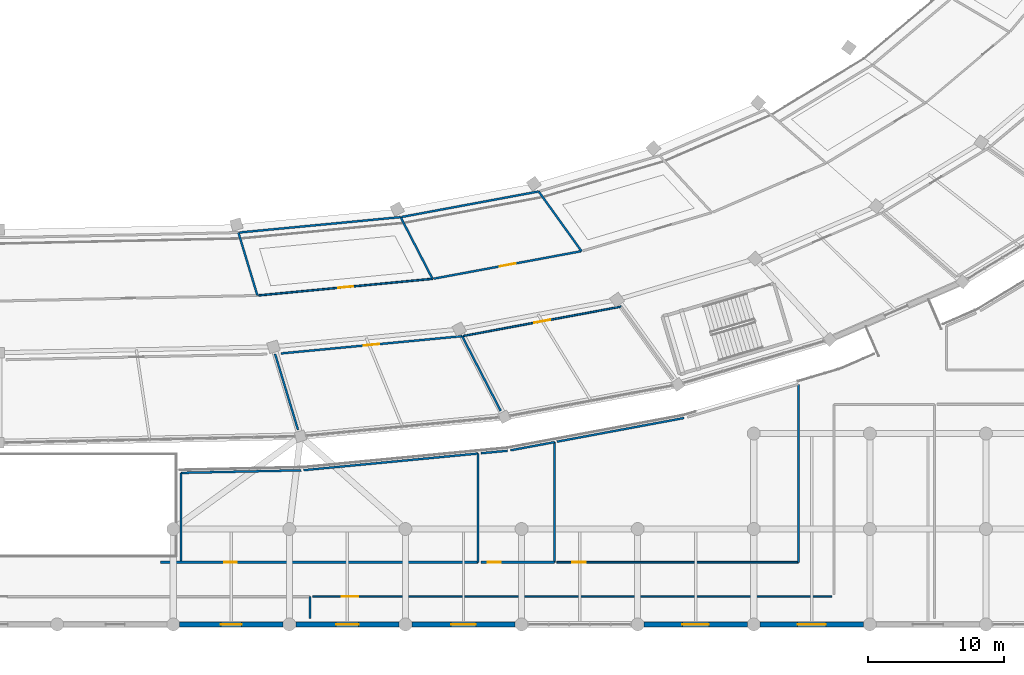
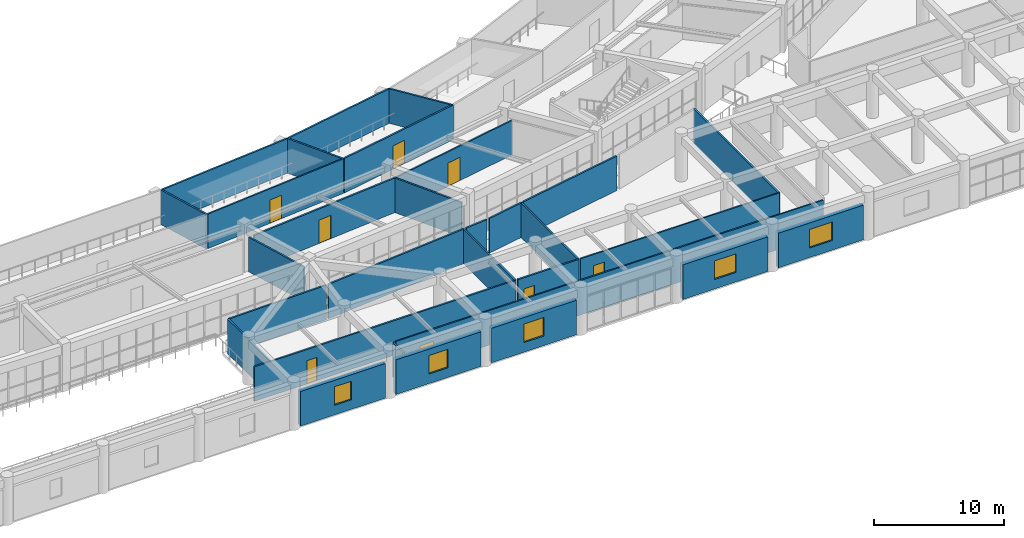
# One storey, part 97 of 141: 30 walls, 8 doors, 5 windows, 13 openings.
"""IFC4 building model written with IfcOpenShell, lengths in metres."""

import ifcopenshell
import ifcopenshell.guid

model = None  # the IFC model being written
_history = None  # IfcOwnerHistory: only IFC2X3 demands one
_inside = {}  # id of a spatial element -> (the spatial element, [elements in it])
_under = {}  # id of a project, library or spatial element -> (it, [spatial elements below it])
_declared = {}  # id of a project -> (the project, [libraries it declares])
_typed = {}  # id of a type object -> (the type object, [elements of that type])
_made_of = {}  # id of a material, layer set ... -> (it, [elements and type objects made of it])


def new_model(schema):
    """Start an empty IFC model of exactly this schema.

    Asked for "IFC4X3", IfcOpenShell would pick the latest addendum, in which some entities
    have other attributes; the version numbers below select the first issue.
    IFC2X3 requires an IfcOwnerHistory on every rooted entity: one is made here for all.
    """
    global model, _history
    if schema == "IFC4X3":
        model = ifcopenshell.file(schema_version=(4, 3, 0, 0))
    else:
        model = ifcopenshell.file(schema=schema)
    _inside.clear()
    _under.clear()
    _declared.clear()
    _typed.clear()
    _made_of.clear()
    _history = None
    if model.schema == "IFC2X3":
        org = make("IfcOrganization", Name="unknown")
        user = make(
            "IfcPersonAndOrganization",
            ThePerson=make("IfcPerson", FamilyName="unknown"),
            TheOrganization=org,
        )
        app = make(
            "IfcApplication",
            ApplicationDeveloper=org,
            Version="unknown",
            ApplicationFullName="unknown",
            ApplicationIdentifier="unknown",
        )
        _history = make(
            "IfcOwnerHistory",
            OwningUser=user,
            OwningApplication=app,
            ChangeAction="ADDED",
            CreationDate=0,
        )
    return model


def make(cls, **values):
    """One entity of the class cls with the attributes given. An attribute that is None is left unset."""
    return model.create_entity(
        cls, **{name: value for name, value in values.items() if value is not None}
    )


def rooted(cls, **values):
    """An entity with a GlobalId (a new one), such as an element, a storey or a relation."""
    return make(cls, GlobalId=ifcopenshell.guid.new(), OwnerHistory=_history, **values)


def si_unit(unit_type, name, prefix=None):
    """IfcSIUnit, for example si_unit("LENGTHUNIT", "METRE", prefix="MILLI")."""
    return make("IfcSIUnit", UnitType=unit_type, Prefix=prefix, Name=name)


def assignment(units):
    """IfcUnitAssignment: the units of a project."""
    return None if units is None else make("IfcUnitAssignment", Units=units)


def point(xyz):
    """IfcCartesianPoint."""
    return None if xyz is None else make("IfcCartesianPoint", Coordinates=xyz)


def direction(xyz):
    """IfcDirection."""
    return None if xyz is None else make("IfcDirection", DirectionRatios=xyz)


def frame(location, z_axis=None, x_axis=None):
    """IfcAxis2Placement3D, a coordinate frame: its origin and axes. An axis left out is left unset."""
    return make(
        "IfcAxis2Placement3D",
        Location=point(location),
        Axis=direction(z_axis),
        RefDirection=direction(x_axis),
    )


def frame_2d(location, x_axis=None):
    """IfcAxis2Placement2D, a coordinate frame in the plane: its origin and x axis."""
    return make(
        "IfcAxis2Placement2D", Location=point(location), RefDirection=direction(x_axis)
    )


def origin():
    """The frame at (0, 0, 0) with its axes left unset."""
    return frame((0.0, 0.0, 0.0))


def place(relative_to, where):
    """IfcLocalPlacement: puts the frame where relative to a parent placement (None: the world)."""
    return make(
        "IfcLocalPlacement", PlacementRelTo=relative_to, RelativePlacement=where
    )


def context(
    kind, dimensions, precision=None, world=None, true_north=None, identifier=None
):
    """IfcGeometricRepresentationContext, for example the 3D "Model" context."""
    return make(
        "IfcGeometricRepresentationContext",
        ContextIdentifier=identifier,
        ContextType=kind,
        CoordinateSpaceDimension=dimensions,
        Precision=precision,
        WorldCoordinateSystem=world,
        TrueNorth=true_north,
    )


def subcontext(parent, identifier, kind, view, scale=None):
    """IfcGeometricRepresentationSubContext, for example "Body" below "Model"."""
    return make(
        "IfcGeometricRepresentationSubContext",
        ContextIdentifier=identifier,
        ContextType=kind,
        ParentContext=parent,
        TargetScale=scale,
        TargetView=view,
    )


def project(units=None, contexts=None):
    """IfcProject with its units and contexts."""
    return rooted(
        "IfcProject",
        Name="project",
        RepresentationContexts=contexts,
        UnitsInContext=assignment(units),
    )


def spatial(cls, under=None, at=None, **own):
    """A site, building, storey or space (cls), placed at a placement, below another one or the project."""
    s = rooted(cls, ObjectPlacement=at, **own)
    if under is not None:
        _under.setdefault(under.id(), (under, []))[1].append(s)
    return s


def profile(cls, at=None, kind="AREA", **sizes):
    """A parametric profile (cls). Its sizes go by their IFC names, for example OverallWidth=200.0."""
    return make(cls, ProfileType=kind, Position=at, **sizes)


def rectangle(**sizes):
    """IfcRectangleProfileDef."""
    return profile("IfcRectangleProfileDef", **sizes)


def extrude(swept, where, along, depth):
    """IfcExtrudedAreaSolid: the profile swept, set in the frame where, extruded along a direction by depth."""
    return make(
        "IfcExtrudedAreaSolid",
        SweptArea=swept,
        Position=where,
        ExtrudedDirection=direction(along),
        Depth=depth,
    )


def shape(context_of_items, identifier, shape_type, items):
    """IfcShapeRepresentation: the items that make up one representation, for example the "Body"."""
    return make(
        "IfcShapeRepresentation",
        ContextOfItems=context_of_items,
        RepresentationIdentifier=identifier,
        RepresentationType=shape_type,
        Items=items,
    )


def material(Name=None, Category=None):
    """IfcMaterial."""
    return make("IfcMaterial", Name=Name, Category=Category)


def layer(
    of_material, thickness, ventilated=None, Name=None, Category=None, Priority=None
):
    """IfcMaterialLayer: one layer of a wall or slab, of a material (None: an air gap)."""
    return make(
        "IfcMaterialLayer",
        Material=of_material,
        LayerThickness=thickness,
        IsVentilated=ventilated,
        Name=Name,
        Category=Category,
        Priority=Priority,
    )


def layer_set(layers, Name=None):
    """IfcMaterialLayerSet."""
    return make("IfcMaterialLayerSet", MaterialLayers=layers, LayerSetName=Name)


def made_of(thing, what):
    """Note that an element or type object is made of a material, layer set ...; save() writes the relation."""
    if what is not None:
        _made_of.setdefault(what.id(), (what, []))[1].append(thing)
    return thing


def type_object(cls, material=None, **own):
    """A type object (cls), such as IfcWallType, which elements share."""
    return made_of(rooted(cls, **own), material)


def element(
    cls,
    number,
    at=None,
    inside=None,
    cuts=None,
    type_object=None,
    material=None,
    context=None,
    identifier="Body",
    shape_type=None,
    held_by="IfcProductDefinitionShape",
    body=None,
    shapes=None,
    **own,
):
    """One element of the class cls, such as IfcWall. Its Tag is "e" and its number.

    at: its placement. inside: the storey or other place that contains it. cuts: it is an
    opening in that element (IfcRelVoidsElement). A single representation is given by context,
    identifier, shape_type and body (its items); several are given by shapes. held_by: the class
    of the entity that holds the representations. save() writes the other relations.
    """
    e = rooted(cls, Tag="e%d" % number, ObjectPlacement=at, **own)
    if body is not None:
        shapes = [shape(context, identifier, shape_type, body)]
    if shapes is not None:
        e.Representation = make(held_by, Representations=shapes)
    if inside is not None:
        _inside.setdefault(inside.id(), (inside, []))[1].append(e)
    if cuts is not None:
        rooted(
            "IfcRelVoidsElement", RelatingBuildingElement=cuts, RelatedOpeningElement=e
        )
    if type_object is not None:
        _typed.setdefault(type_object.id(), (type_object, []))[1].append(e)
    return made_of(e, material)


def fill(opening, filler):
    """IfcRelFillsElement: the door or window that sits in an opening."""
    return rooted(
        "IfcRelFillsElement",
        RelatingOpeningElement=opening,
        RelatedBuildingElement=filler,
    )


def aggregate(whole, parts):
    """IfcRelAggregates: a whole, such as a stair, and the parts it consists of."""
    return rooted("IfcRelAggregates", RelatingObject=whole, RelatedObjects=parts)


def save(model, path):
    """Write the relations noted so far, then the file.

    IfcRelAggregates (storeys below a building ...), IfcRelContainedInSpatialStructure (elements
    in a storey), IfcRelDefinesByType, IfcRelAssociatesMaterial and IfcRelDeclares: one each for
    every whole, place, type object, material and project.
    """
    for whole, parts in _under.values():
        aggregate(whole, parts)
    for where, things in _inside.values():
        rooted(
            "IfcRelContainedInSpatialStructure",
            RelatedElements=things,
            RelatingStructure=where,
        )
    for kind, things in _typed.values():
        rooted("IfcRelDefinesByType", RelatedObjects=things, RelatingType=kind)
    for what, things in _made_of.values():
        rooted("IfcRelAssociatesMaterial", RelatedObjects=things, RelatingMaterial=what)
    for by, libraries in _declared.values():
        rooted("IfcRelDeclares", RelatingContext=by, RelatedDefinitions=libraries)
    model.write(path)


model = new_model("IFC4")

# Units and contexts
model_context = context("Model", 3, precision=1e-05, world=origin(), true_north=direction((0.0, 1.0)))
body_context = subcontext(model_context, "Body", "Model", "MODEL_VIEW")
ifc_project = project(units=[si_unit("LENGTHUNIT", "METRE"), si_unit("AREAUNIT", "SQUARE_METRE"), si_unit("VOLUMEUNIT", "CUBIC_METRE"), si_unit("PLANEANGLEUNIT", "RADIAN"), si_unit("MASSUNIT", "GRAM", prefix="KILO")], contexts=[model_context])

# Site, building, storey
site_placement = place(None, origin())
site = spatial("IfcSite", under=ifc_project, at=site_placement, CompositionType="ELEMENT")
building_placement = place(site_placement, origin())
building = spatial("IfcBuilding", under=site, at=building_placement, Name="Mphavela Belvedere Stadium", CompositionType="ELEMENT")
storey_placement = place(building_placement, frame((0.0, 0.0, 14.699951171875)))
storey = spatial("IfcBuildingStorey", under=building, at=storey_placement, Name="L03", CompositionType="ELEMENT", Elevation=14.699951171875)

# Wall, opening, window
ifc_material_1 = material(Name="Honed ashlar limestone masonry", Category="masonry")
ifc_layer_1 = layer(ifc_material_1, 0.35009765625)
ifc_layer_set_1 = layer_set([ifc_layer_1], Name="Honed ashlar limestone masonry")
wall_type_1 = type_object("IfcWallType", Name="WAL-EXT-ASHLAR-350", PredefinedType="STANDARD", material=ifc_layer_set_1)
wall_1_placement = place(storey_placement, frame((135.822998046875, 0.0, 0.0), z_axis=(0.0, 0.0, 1.0), x_axis=(-1.0, 0.0, 0.0)))
wall_1 = element("IfcWall", 1, at=wall_1_placement, inside=storey, type_object=wall_type_1, Name="South Axial Triumphal Peristyle Portico outer facade bay L03-16", PredefinedType="STANDARD", context=body_context, shape_type="SweptSolid", body=[
    extrude(rectangle(XDim=7.572021484375, YDim=0.35009765625, at=frame_2d((3.7861328125, 0.0))), origin(), (0.0, 0.0, 1.0), 3.260009765625),
])
opening_1_placement = place(wall_1_placement, frame((3.02587890625, 0.0, 0.89990234375)))
opening_1 = element("IfcOpeningElement", 2, at=opening_1_placement, cuts=wall_1, Name="Opening W-103", PredefinedType="OPENING", context=body_context, shape_type="SweptSolid", body=[
    extrude(rectangle(XDim=1.52001953125, YDim=1.75, at=frame_2d((0.760009765625, 0.875))), frame((0.0, 0.18505859375, 0.0), z_axis=(0.0, -1.0, 0.0), x_axis=(1.0, 0.0, 0.0)), (0.0, 0.0, 1.0), 0.3701171875),
])
ifc_material_2 = material(Name="Bronze-anodised thermally broken aluminium window", Category="aluminium")
window_type_1 = type_object("IfcWindowType", Name="WIN-EXT-15", PartitioningType="SINGLE_PANEL", PredefinedType="WINDOW", material=ifc_material_2)
window_1_placement = place(opening_1_placement, origin())
window_1 = element("IfcWindow", 3, at=window_1_placement, inside=storey, type_object=window_type_1, Name="South Axial Triumphal Peristyle Portico classical window W-103", OverallHeight=1.75, OverallWidth=1.52001953125, PartitioningType="SINGLE_PANEL", PredefinedType="WINDOW", context=body_context, shape_type="SweptSolid", body=[
    extrude(rectangle(XDim=1.52001953125, YDim=1.75, at=frame_2d((0.760009765625, 0.875))), frame((0.0, 0.030029296875, 0.0), z_axis=(0.0, -1.0, 0.0), x_axis=(1.0, 0.0, 0.0)), (0.0, 0.0, 1.0), 0.06005859375),
])
fill(opening_1, window_1)

wall_2_placement = place(storey_placement, frame((144.342041015625, 0.0, 0.0), z_axis=(0.0, 0.0, 1.0), x_axis=(-1.0, 0.0, 0.0)))
wall_2 = element("IfcWall", 4, at=wall_2_placement, inside=storey, type_object=wall_type_1, Name="South Axial Triumphal Peristyle Portico outer facade bay L03-17", PredefinedType="STANDARD", context=body_context, shape_type="SweptSolid", body=[
    extrude(rectangle(XDim=7.572998046875, YDim=0.35009765625, at=frame_2d((3.78662109375, 0.0))), origin(), (0.0, 0.0, 1.0), 3.260009765625),
])
opening_2_placement = place(wall_2_placement, frame((2.95654296875, 0.0, 0.89990234375)))
opening_2 = element("IfcOpeningElement", 5, at=opening_2_placement, cuts=wall_2, Name="Opening W-104", PredefinedType="OPENING", context=body_context, shape_type="SweptSolid", body=[
    extrude(rectangle(XDim=1.659912109375, YDim=1.75, at=frame_2d((0.830078125, 0.875))), frame((0.0, 0.18505859375, 0.0), z_axis=(0.0, -1.0, 0.0), x_axis=(1.0, 0.0, 0.0)), (0.0, 0.0, 1.0), 0.3701171875),
])
ifc_material_3 = material(Name="Bronze-anodised thermally broken aluminium window", Category="aluminium")
window_type_2 = type_object("IfcWindowType", Name="WIN-EXT-16", PartitioningType="SINGLE_PANEL", PredefinedType="WINDOW", material=ifc_material_3)
window_2_placement = place(opening_2_placement, origin())
window_2 = element("IfcWindow", 6, at=window_2_placement, inside=storey, type_object=window_type_2, Name="South Axial Triumphal Peristyle Portico classical window W-104", OverallHeight=1.75, OverallWidth=1.659912109375, PartitioningType="SINGLE_PANEL", PredefinedType="WINDOW", context=body_context, shape_type="SweptSolid", body=[
    extrude(rectangle(XDim=1.659912109375, YDim=1.75, at=frame_2d((0.830078125, 0.875))), frame((0.0, 0.030029296875, 0.0), z_axis=(0.0, -1.0, 0.0), x_axis=(1.0, 0.0, 0.0)), (0.0, 0.0, 1.0), 0.06005859375),
])
fill(opening_2, window_2)

wall_3_placement = place(storey_placement, frame((152.860107421875, 0.0, 0.0), z_axis=(0.0, 0.0, 1.0), x_axis=(-1.0, 0.0, 0.0)))
wall_3 = element("IfcWall", 7, at=wall_3_placement, inside=storey, type_object=wall_type_1, Name="South Axial Triumphal Peristyle Portico outer facade bay L03-18", PredefinedType="STANDARD", context=body_context, shape_type="SweptSolid", body=[
    extrude(rectangle(XDim=7.572021484375, YDim=0.35009765625, at=frame_2d((3.7861328125, 0.0))), origin(), (0.0, 0.0, 1.0), 3.260009765625),
])
opening_3_placement = place(wall_3_placement, frame((2.885986328125, 0.0, 0.89990234375)))
opening_3 = element("IfcOpeningElement", 8, at=opening_3_placement, cuts=wall_3, Name="Opening W-105", PredefinedType="OPENING", context=body_context, shape_type="SweptSolid", body=[
    extrude(rectangle(XDim=1.800048828125, YDim=1.75, at=frame_2d((0.89990234375, 0.875))), frame((0.0, 0.18505859375, 0.0), z_axis=(0.0, -1.0, 0.0), x_axis=(1.0, 0.0, 0.0)), (0.0, 0.0, 1.0), 0.3701171875),
])
ifc_material_4 = material(Name="Bronze-anodised thermally broken aluminium window", Category="aluminium")
window_type_3 = type_object("IfcWindowType", Name="WIN-EXT-17", PartitioningType="SINGLE_PANEL", PredefinedType="WINDOW", material=ifc_material_4)
window_3_placement = place(opening_3_placement, origin())
window_3 = element("IfcWindow", 9, at=window_3_placement, inside=storey, type_object=window_type_3, Name="South Axial Triumphal Peristyle Portico classical window W-105", OverallHeight=1.75, OverallWidth=1.800048828125, PartitioningType="SINGLE_PANEL", PredefinedType="WINDOW", context=body_context, shape_type="SweptSolid", body=[
    extrude(rectangle(XDim=1.800048828125, YDim=1.75, at=frame_2d((0.89990234375, 0.875))), frame((0.0, 0.030029296875, 0.0), z_axis=(0.0, -1.0, 0.0), x_axis=(1.0, 0.0, 0.0)), (0.0, 0.0, 1.0), 0.06005859375),
])
fill(opening_3, window_3)

wall_4_placement = place(storey_placement, frame((169.89697265625, 0.0, 0.0), z_axis=(0.0, 0.0, 1.0), x_axis=(-1.0, 0.0, 0.0)))
wall_4 = element("IfcWall", 10, at=wall_4_placement, inside=storey, type_object=wall_type_1, Name="South Axial Triumphal Peristyle Portico outer facade bay L03-20", PredefinedType="STANDARD", context=body_context, shape_type="SweptSolid", body=[
    extrude(rectangle(XDim=7.572021484375, YDim=0.35009765625, at=frame_2d((3.7861328125, 0.0))), origin(), (0.0, 0.0, 1.0), 3.260009765625),
])
opening_4_placement = place(wall_4_placement, frame((2.81591796875, 0.0, 0.89990234375)))
opening_4 = element("IfcOpeningElement", 11, at=opening_4_placement, cuts=wall_4, Name="Opening W-106", PredefinedType="OPENING", context=body_context, shape_type="SweptSolid", body=[
    extrude(rectangle(XDim=1.93994140625, YDim=1.75, at=frame_2d((0.969970703125, 0.875))), frame((0.0, 0.18505859375, 0.0), z_axis=(0.0, -1.0, 0.0), x_axis=(1.0, 0.0, 0.0)), (0.0, 0.0, 1.0), 0.3701171875),
])
ifc_material_5 = material(Name="Bronze-anodised thermally broken aluminium window", Category="aluminium")
window_type_4 = type_object("IfcWindowType", Name="WIN-EXT-18", PartitioningType="SINGLE_PANEL", PredefinedType="WINDOW", material=ifc_material_5)
window_4_placement = place(opening_4_placement, origin())
window_4 = element("IfcWindow", 12, at=window_4_placement, inside=storey, type_object=window_type_4, Name="South Axial Triumphal Peristyle Portico classical window W-106", OverallHeight=1.75, OverallWidth=1.93994140625, PartitioningType="SINGLE_PANEL", PredefinedType="WINDOW", context=body_context, shape_type="SweptSolid", body=[
    extrude(rectangle(XDim=1.93994140625, YDim=1.75, at=frame_2d((0.969970703125, 0.875))), frame((0.0, 0.030029296875, 0.0), z_axis=(0.0, -1.0, 0.0), x_axis=(1.0, 0.0, 0.0)), (0.0, 0.0, 1.0), 0.06005859375),
])
fill(opening_4, window_4)

wall_5_placement = place(storey_placement, frame((178.416015625, 0.0, 0.0), z_axis=(0.0, 0.0, 1.0), x_axis=(-1.0, 0.0, 0.0)))
wall_5 = element("IfcWall", 13, at=wall_5_placement, inside=storey, type_object=wall_type_1, Name="South Axial Triumphal Peristyle Portico outer facade bay L03-21", PredefinedType="STANDARD", context=body_context, shape_type="SweptSolid", body=[
    extrude(rectangle(XDim=7.572998046875, YDim=0.35009765625, at=frame_2d((3.78662109375, 0.0))), origin(), (0.0, 0.0, 1.0), 3.260009765625),
])
opening_5_placement = place(wall_5_placement, frame((2.74658203125, 0.0, 0.89990234375)))
opening_5 = element("IfcOpeningElement", 14, at=opening_5_placement, cuts=wall_5, Name="Opening W-107", PredefinedType="OPENING", context=body_context, shape_type="SweptSolid", body=[
    extrude(rectangle(XDim=2.080078125, YDim=1.75, at=frame_2d((1.0400390625, 0.875))), frame((0.0, 0.18505859375, 0.0), z_axis=(0.0, -1.0, 0.0), x_axis=(1.0, 0.0, 0.0)), (0.0, 0.0, 1.0), 0.3701171875),
])
ifc_material_6 = material(Name="Bronze-anodised thermally broken aluminium window", Category="aluminium")
window_type_5 = type_object("IfcWindowType", Name="WIN-EXT-19", PartitioningType="SINGLE_PANEL", PredefinedType="WINDOW", material=ifc_material_6)
window_5_placement = place(opening_5_placement, origin())
window_5 = element("IfcWindow", 15, at=window_5_placement, inside=storey, type_object=window_type_5, Name="South Axial Triumphal Peristyle Portico classical window W-107", OverallHeight=1.75, OverallWidth=2.080078125, PartitioningType="SINGLE_PANEL", PredefinedType="WINDOW", context=body_context, shape_type="SweptSolid", body=[
    extrude(rectangle(XDim=2.080078125, YDim=1.75, at=frame_2d((1.0400390625, 0.875))), frame((0.0, 0.030029296875, 0.0), z_axis=(0.0, -1.0, 0.0), x_axis=(1.0, 0.0, 0.0)), (0.0, 0.0, 1.0), 0.06005859375),
])
fill(opening_5, window_5)

# Wall, opening, door
ifc_material_7 = material(Name="Moisture-resistant sanitary partition assembly")
ifc_layer_2 = layer(ifc_material_7, 0.125)
ifc_layer_set_2 = layer_set([ifc_layer_2], Name="Moisture-resistant sanitary partition assembly")
wall_type_2 = type_object("IfcWallType", Name="WAL-PART-125", PredefinedType="PARTITIONING", material=ifc_layer_set_2)
wall_6_placement = place(storey_placement, frame((146.799072265625, 25.354736328125, 0.0), z_axis=(0.0, 0.0, 1.0), x_axis=(-0.995485111947, -0.094917816515, 0.0)))
wall_6 = element("IfcWall", 16, at=wall_6_placement, inside=storey, type_object=wall_type_2, Name="Room L03-134 corridor partition", PredefinedType="PARTITIONING", context=body_context, shape_type="SweptSolid", body=[
    extrude(rectangle(XDim=12.822021484375, YDim=0.125, at=frame_2d((6.4111328125, 0.0))), origin(), (0.0, 0.0, 1.0), 3.25),
])
opening_6_placement = place(wall_6_placement, frame((5.861083984375, 0.0, 0.0)))
opening_6 = element("IfcOpeningElement", 17, at=opening_6_placement, cuts=wall_6, Name="Opening ID-306", PredefinedType="OPENING", context=body_context, shape_type="SweptSolid", body=[
    extrude(rectangle(XDim=1.10009765625, YDim=2.199951171875, at=frame_2d((0.550048828125, 1.10009765625))), frame((0.0, 0.072509765625, 0.0), z_axis=(0.0, -1.0, 0.0), x_axis=(1.0, 0.0, 0.0)), (0.0, 0.0, 1.0), 0.14501953125),
])
ifc_material_8 = material(Name="Hardwood acoustic timber doorset", Category="wood")
door_type_1 = type_object("IfcDoorType", Name="DR-INT-18", OperationType="NOTDEFINED", PredefinedType="DOOR", material=ifc_material_8)
door_1_placement = place(opening_6_placement, origin())
door_1 = element("IfcDoor", 18, at=door_1_placement, inside=storey, type_object=door_type_1, Name="Room L03-134 entrance door ID-306", OperationType="SINGLE_SWING_RIGHT", OverallHeight=2.199951171875, OverallWidth=1.10009765625, PredefinedType="DOOR", context=body_context, shape_type="SweptSolid", body=[
    extrude(rectangle(XDim=1.10009765625, YDim=2.199951171875, at=frame_2d((0.550048828125, 1.10009765625))), frame((0.0, 0.02490234375, 0.0), z_axis=(0.0, -1.0, 0.0), x_axis=(1.0, 0.0, 0.0)), (0.0, 0.0, 1.0), 0.050048828125),
])
fill(opening_6, door_1)

wall_7_placement = place(storey_placement, frame((149.055419921875, 21.1611328125, 0.0), z_axis=(0.0, 0.0, 1.0), x_axis=(0.983095748229, 0.183092189385, 0.0)))
wall_7 = element("IfcWall", 19, at=wall_7_placement, inside=storey, type_object=wall_type_2, Name="Room L03-138 corridor partition", PredefinedType="PARTITIONING", context=body_context, shape_type="SweptSolid", body=[
    extrude(rectangle(XDim=11.79296875, YDim=0.125, at=frame_2d((5.896484375, 0.0))), origin(), (0.0, 0.0, 1.0), 3.25),
])
opening_7_placement = place(wall_7_placement, frame((5.28662109375, 0.0, 0.0)))
opening_7 = element("IfcOpeningElement", 20, at=opening_7_placement, cuts=wall_7, Name="Opening ID-309", PredefinedType="OPENING", context=body_context, shape_type="SweptSolid", body=[
    extrude(rectangle(XDim=1.219970703125, YDim=2.199951171875, at=frame_2d((0.60986328125, 1.10009765625))), frame((0.0, 0.072509765625, 0.0), z_axis=(0.0, -1.0, 0.0), x_axis=(1.0, 0.0, 0.0)), (0.0, 0.0, 1.0), 0.14501953125),
])
ifc_material_9 = material(Name="Hardwood acoustic timber doorset", Category="wood")
door_type_2 = type_object("IfcDoorType", Name="DR-INT-21", OperationType="NOTDEFINED", PredefinedType="DOOR", material=ifc_material_9)
door_2_placement = place(opening_7_placement, origin())
door_2 = element("IfcDoor", 21, at=door_2_placement, inside=storey, type_object=door_type_2, Name="Room L03-138 entrance door ID-309", OperationType="SINGLE_SWING_LEFT", OverallHeight=2.199951171875, OverallWidth=1.219970703125, PredefinedType="DOOR", context=body_context, shape_type="SweptSolid", body=[
    extrude(rectangle(XDim=1.219970703125, YDim=2.199951171875, at=frame_2d((0.60986328125, 1.10009765625))), frame((0.0, 0.02490234375, 0.0), z_axis=(0.0, -1.0, 0.0), x_axis=(1.0, 0.0, 0.0)), (0.0, 0.0, 1.0), 0.050048828125),
])
fill(opening_7, door_2)

wall_8_placement = place(storey_placement, frame((138.010009765625, 2.0400390625, 0.0), z_axis=(0.0, 0.0, 1.0), x_axis=(1.0, 0.0, 0.0)))
wall_8 = element("IfcWall", 22, at=wall_8_placement, inside=storey, type_object=wall_type_2, Name="Room L03-169 corridor partition", PredefinedType="PARTITIONING", context=body_context, shape_type="SweptSolid", body=[
    extrude(rectangle(XDim=38.090087890625, YDim=0.125, at=frame_2d((19.044921875, 0.0))), origin(), (0.0, 0.0, 1.0), 3.25),
])
opening_8_placement = place(wall_8_placement, frame((2.131591796875, 0.0, 0.0)))
opening_8 = element("IfcOpeningElement", 23, at=opening_8_placement, cuts=wall_8, Name="Opening ID-405", PredefinedType="OPENING", context=body_context, shape_type="SweptSolid", body=[
    extrude(rectangle(XDim=1.219970703125, YDim=2.10009765625, at=frame_2d((0.60986328125, 1.050048828125))), frame((0.0, 0.072509765625, 0.0), z_axis=(0.0, -1.0, 0.0), x_axis=(1.0, 0.0, 0.0)), (0.0, 0.0, 1.0), 0.14501953125),
])
ifc_material_10 = material(Name="Hardwood acoustic timber doorset", Category="wood")
door_type_3 = type_object("IfcDoorType", Name="DR-INT-09", OperationType="NOTDEFINED", PredefinedType="DOOR", material=ifc_material_10)
door_3_placement = place(opening_8_placement, origin())
door_3 = element("IfcDoor", 24, at=door_3_placement, inside=storey, type_object=door_type_3, Name="Room L03-169 entrance door ID-405", OperationType="SINGLE_SWING_LEFT", OverallHeight=2.10009765625, OverallWidth=1.219970703125, PredefinedType="DOOR", context=body_context, shape_type="SweptSolid", body=[
    extrude(rectangle(XDim=1.219970703125, YDim=2.10009765625, at=frame_2d((0.60986328125, 1.050048828125))), frame((0.0, 0.02490234375, 0.0), z_axis=(0.0, -1.0, 0.0), x_axis=(1.0, 0.0, 0.0)), (0.0, 0.0, 1.0), 0.050048828125),
])
fill(opening_8, door_3)

wall_9_placement = place(storey_placement, frame((173.639892578125, 4.56005859375, 0.0), z_axis=(0.0, 0.0, 1.0), x_axis=(-1.0, 0.0, 0.0)))
wall_9 = element("IfcWall", 25, at=wall_9_placement, inside=storey, type_object=wall_type_2, Name="Room L03-175 corridor partition", PredefinedType="PARTITIONING", context=body_context, shape_type="SweptSolid", body=[
    extrude(rectangle(XDim=17.7158203125, YDim=0.125, at=frame_2d((8.85791015625, 0.0))), origin(), (0.0, 0.0, 1.0), 3.25),
])
opening_9_placement = place(wall_9_placement, frame((15.611083984375, 0.0, 0.0)))
opening_9 = element("IfcOpeningElement", 26, at=opening_9_placement, cuts=wall_9, Name="Opening ID-411", PredefinedType="OPENING", context=body_context, shape_type="SweptSolid", body=[
    extrude(rectangle(XDim=0.97998046875, YDim=2.199951171875, at=frame_2d((0.489990234375, 1.10009765625))), frame((0.0, 0.072509765625, 0.0), z_axis=(0.0, -1.0, 0.0), x_axis=(1.0, 0.0, 0.0)), (0.0, 0.0, 1.0), 0.14501953125),
])
ifc_material_11 = material(Name="Hardwood acoustic timber doorset", Category="wood")
door_type_4 = type_object("IfcDoorType", Name="DR-INT-15", OperationType="NOTDEFINED", PredefinedType="DOOR", material=ifc_material_11)
door_4_placement = place(opening_9_placement, origin())
door_4 = element("IfcDoor", 27, at=door_4_placement, inside=storey, type_object=door_type_4, Name="Room L03-175 entrance door ID-411", OperationType="SINGLE_SWING_LEFT", OverallHeight=2.199951171875, OverallWidth=0.97998046875, PredefinedType="DOOR", context=body_context, shape_type="SweptSolid", body=[
    extrude(rectangle(XDim=0.97998046875, YDim=2.199951171875, at=frame_2d((0.489990234375, 1.10009765625))), frame((0.0, 0.02490234375, 0.0), z_axis=(0.0, -1.0, 0.0), x_axis=(1.0, 0.0, 0.0)), (0.0, 0.0, 1.0), 0.050048828125),
])
fill(opening_9, door_4)

ifc_material_12 = material(Name="Acoustic gypsum stud partition assembly")
ifc_layer_3 = layer(ifc_material_12, 0.14990234375)
ifc_layer_set_3 = layer_set([ifc_layer_3], Name="Acoustic gypsum stud partition assembly")
wall_type_3 = type_object("IfcWallType", Name="WAL-PART-150", PredefinedType="PARTITIONING", material=ifc_layer_set_3)
wall_10_placement = place(storey_placement, frame((135.68115234375, 19.880859375, 0.0), z_axis=(0.0, 0.0, 1.0), x_axis=(0.995484535327, 0.094923863827, 0.0)))
wall_10 = element("IfcWall", 28, at=wall_10_placement, inside=storey, type_object=wall_type_3, Name="Room L03-135 corridor partition", PredefinedType="PARTITIONING", context=body_context, shape_type="SweptSolid", body=[
    extrude(rectangle(XDim=13.35107421875, YDim=0.14990234375, at=frame_2d((6.675537109375, 0.0))), origin(), (0.0, 0.0, 1.0), 3.25),
])
opening_10_placement = place(wall_10_placement, frame((6.10546875, 0.0, 0.0)))
opening_10 = element("IfcOpeningElement", 29, at=opening_10_placement, cuts=wall_10, Name="Opening ID-307", PredefinedType="OPENING", context=body_context, shape_type="SweptSolid", body=[
    extrude(rectangle(XDim=1.139892578125, YDim=2.199951171875, at=frame_2d((0.56982421875, 1.10009765625))), frame((0.0, 0.0849609375, 0.0), z_axis=(0.0, -1.0, 0.0), x_axis=(1.0, 0.0, 0.0)), (0.0, 0.0, 1.0), 0.169921875),
])
ifc_material_13 = material(Name="Hardwood acoustic timber doorset", Category="wood")
door_type_5 = type_object("IfcDoorType", Name="DR-INT-19", OperationType="NOTDEFINED", PredefinedType="DOOR", material=ifc_material_13)
door_5_placement = place(opening_10_placement, origin())
door_5 = element("IfcDoor", 30, at=door_5_placement, inside=storey, type_object=door_type_5, Name="Room L03-135 entrance door ID-307", OperationType="SINGLE_SWING_LEFT", OverallHeight=2.199951171875, OverallWidth=1.139892578125, PredefinedType="DOOR", context=body_context, shape_type="SweptSolid", body=[
    extrude(rectangle(XDim=1.139892578125, YDim=2.199951171875, at=frame_2d((0.56982421875, 1.10009765625))), frame((0.0, 0.02490234375, 0.0), z_axis=(0.0, -1.0, 0.0), x_axis=(1.0, 0.0, 0.0)), (0.0, 0.0, 1.0), 0.050048828125),
])
fill(opening_10, door_5)

wall_11_placement = place(storey_placement, frame((157.731689453125, 27.3857421875, 0.0), z_axis=(0.0, 0.0, 1.0), x_axis=(-0.983097372707, -0.183083466695, 0.0)))
wall_11 = element("IfcWall", 31, at=wall_11_placement, inside=storey, type_object=wall_type_3, Name="Room L03-137 corridor partition", PredefinedType="PARTITIONING", context=body_context, shape_type="SweptSolid", body=[
    extrude(rectangle(XDim=11.03466796875, YDim=0.14990234375, at=frame_2d((5.517333984375, 0.0))), origin(), (0.0, 0.0, 1.0), 3.25),
])
opening_11_placement = place(wall_11_placement, frame((4.92724609375, 0.0, 0.0)))
opening_11 = element("IfcOpeningElement", 32, at=opening_11_placement, cuts=wall_11, Name="Opening ID-308", PredefinedType="OPENING", context=body_context, shape_type="SweptSolid", body=[
    extrude(rectangle(XDim=1.179931640625, YDim=2.199951171875, at=frame_2d((0.58984375, 1.10009765625))), frame((0.0, 0.0849609375, 0.0), z_axis=(0.0, -1.0, 0.0), x_axis=(1.0, 0.0, 0.0)), (0.0, 0.0, 1.0), 0.169921875),
])
ifc_material_14 = material(Name="Hardwood acoustic timber doorset", Category="wood")
door_type_6 = type_object("IfcDoorType", Name="DR-INT-20", OperationType="NOTDEFINED", PredefinedType="DOOR", material=ifc_material_14)
door_6_placement = place(opening_11_placement, origin())
door_6 = element("IfcDoor", 33, at=door_6_placement, inside=storey, type_object=door_type_6, Name="Room L03-137 entrance door ID-308", OperationType="SINGLE_SWING_RIGHT", OverallHeight=2.199951171875, OverallWidth=1.179931640625, PredefinedType="DOOR", context=body_context, shape_type="SweptSolid", body=[
    extrude(rectangle(XDim=1.179931640625, YDim=2.199951171875, at=frame_2d((0.58984375, 1.10009765625))), frame((0.0, 0.02490234375, 0.0), z_axis=(0.0, -1.0, 0.0), x_axis=(1.0, 0.0, 0.0)), (0.0, 0.0, 1.0), 0.050048828125),
])
fill(opening_11, door_6)

wall_12_placement = place(storey_placement, frame((150.14404296875, 4.56005859375, 0.0), z_axis=(0.0, 0.0, 1.0), x_axis=(-1.0, 0.0, 0.0)))
wall_12 = element("IfcWall", 34, at=wall_12_placement, inside=storey, type_object=wall_type_3, Name="Room L03-173 corridor partition", PredefinedType="PARTITIONING", context=body_context, shape_type="SweptSolid", body=[
    extrude(rectangle(XDim=23.296142578125, YDim=0.14990234375, at=frame_2d((11.64794921875, 0.0))), origin(), (0.0, 0.0, 1.0), 3.25),
])
opening_12_placement = place(wall_12_placement, frame((17.724853515625, 0.0, 0.0)))
opening_12 = element("IfcOpeningElement", 35, at=opening_12_placement, cuts=wall_12, Name="Opening ID-409", PredefinedType="OPENING", context=body_context, shape_type="SweptSolid", body=[
    extrude(rectangle(XDim=0.89990234375, YDim=2.199951171875, at=frame_2d((0.449951171875, 1.10009765625))), frame((0.0, 0.0849609375, 0.0), z_axis=(0.0, -1.0, 0.0), x_axis=(1.0, 0.0, 0.0)), (0.0, 0.0, 1.0), 0.169921875),
])
ifc_material_15 = material(Name="Hardwood acoustic timber doorset", Category="wood")
door_type_7 = type_object("IfcDoorType", Name="DR-INT-13", OperationType="NOTDEFINED", PredefinedType="DOOR", material=ifc_material_15)
door_7_placement = place(opening_12_placement, origin())
door_7 = element("IfcDoor", 36, at=door_7_placement, inside=storey, type_object=door_type_7, Name="Room L03-173 entrance door ID-409", OperationType="SINGLE_SWING_LEFT", OverallHeight=2.199951171875, OverallWidth=0.89990234375, PredefinedType="DOOR", context=body_context, shape_type="SweptSolid", body=[
    extrude(rectangle(XDim=0.89990234375, YDim=2.199951171875, at=frame_2d((0.449951171875, 1.10009765625))), frame((0.0, 0.02490234375, 0.0), z_axis=(0.0, -1.0, 0.0), x_axis=(1.0, 0.0, 0.0)), (0.0, 0.0, 1.0), 0.050048828125),
])
fill(opening_12, door_7)

wall_13_placement = place(storey_placement, frame((155.763916015625, 4.56005859375, 0.0), z_axis=(0.0, 0.0, 1.0), x_axis=(-1.0, 0.0, 0.0)))
wall_13 = element("IfcWall", 37, at=wall_13_placement, inside=storey, type_object=wall_type_3, Name="Room L03-174 corridor partition", PredefinedType="PARTITIONING", context=body_context, shape_type="SweptSolid", body=[
    extrude(rectangle(XDim=5.419921875, YDim=0.14990234375, at=frame_2d((2.7099609375, 0.0))), origin(), (0.0, 0.0, 1.0), 3.25),
])
opening_13_placement = place(wall_13_placement, frame((3.968017578125, 0.0, 0.0)))
opening_13 = element("IfcOpeningElement", 38, at=opening_13_placement, cuts=wall_13, Name="Opening ID-410", PredefinedType="OPENING", context=body_context, shape_type="SweptSolid", body=[
    extrude(rectangle(XDim=0.93994140625, YDim=2.199951171875, at=frame_2d((0.469970703125, 1.10009765625))), frame((0.0, 0.0849609375, 0.0), z_axis=(0.0, -1.0, 0.0), x_axis=(1.0, 0.0, 0.0)), (0.0, 0.0, 1.0), 0.169921875),
])
ifc_material_16 = material(Name="Hardwood acoustic timber doorset", Category="wood")
door_type_8 = type_object("IfcDoorType", Name="DR-INT-14", OperationType="NOTDEFINED", PredefinedType="DOOR", material=ifc_material_16)
door_8_placement = place(opening_13_placement, origin())
door_8 = element("IfcDoor", 39, at=door_8_placement, inside=storey, type_object=door_type_8, Name="Room L03-174 entrance door ID-410", OperationType="SINGLE_SWING_RIGHT", OverallHeight=2.199951171875, OverallWidth=0.93994140625, PredefinedType="DOOR", context=body_context, shape_type="SweptSolid", body=[
    extrude(rectangle(XDim=0.93994140625, YDim=2.199951171875, at=frame_2d((0.469970703125, 1.10009765625))), frame((0.0, 0.02490234375, 0.0), z_axis=(0.0, -1.0, 0.0), x_axis=(1.0, 0.0, 0.0)), (0.0, 0.0, 1.0), 0.050048828125),
])
fill(opening_13, door_8)

# Walls
wall_14_placement = place(storey_placement, frame((132.557861328125, 28.74951171875, 0.0), z_axis=(0.0, 0.0, 1.0), x_axis=(0.289247092823, -0.957254469456, 0.0)))
element("IfcWall", 40, at=wall_14_placement, inside=storey, type_object=wall_type_3, Name="Room divider partition L03-0550", PredefinedType="PARTITIONING", context=body_context, shape_type="SweptSolid", body=[
    extrude(rectangle(XDim=4.822021484375, YDim=0.14990234375, at=frame_2d((2.4111328125, 0.0))), origin(), (0.0, 0.0, 1.0), 3.25),
])
wall_15_placement = place(storey_placement, frame((135.249267578125, 19.842041015625, 0.0), z_axis=(0.0, 0.0, 1.0), x_axis=(0.289195444178, -0.957270074256, 0.0)))
element("IfcWall", 41, at=wall_15_placement, inside=storey, type_object=wall_type_3, Name="Room divider partition L03-0551", PredefinedType="PARTITIONING", context=body_context, shape_type="SweptSolid", body=[
    extrude(rectangle(XDim=5.8173828125, YDim=0.14990234375, at=frame_2d((2.90869140625, 0.0))), origin(), (0.0, 0.0, 1.0), 3.25),
])
wall_16_placement = place(storey_placement, frame((132.639892578125, 28.7548828125, 0.0), z_axis=(0.0, 0.0, 1.0), x_axis=(0.995483914052, 0.094930379031, 0.0)))
element("IfcWall", 42, at=wall_16_placement, inside=storey, type_object=wall_type_3, Name="Room divider partition L03-0552", PredefinedType="PARTITIONING", context=body_context, shape_type="SweptSolid", body=[
    extrude(rectangle(XDim=11.8740234375, YDim=0.14990234375, at=frame_2d((5.93701171875, 0.0))), origin(), (0.0, 0.0, 1.0), 3.25),
])
wall_17_placement = place(storey_placement, frame((144.460205078125, 29.882080078125, 0.0), z_axis=(0.0, 0.0, 1.0), x_axis=(0.458979714818, -0.888446746511, 0.0)))
element("IfcWall", 43, at=wall_17_placement, inside=storey, type_object=wall_type_3, Name="Room divider partition L03-0553", PredefinedType="PARTITIONING", context=body_context, shape_type="SweptSolid", body=[
    extrude(rectangle(XDim=5.095703125, YDim=0.14990234375, at=frame_2d((2.5478515625, 0.0))), origin(), (0.0, 0.0, 1.0), 3.25),
])
wall_18_placement = place(storey_placement, frame((148.971923828125, 21.148193359375, 0.0), z_axis=(0.0, 0.0, 1.0), x_axis=(0.45896480759, -0.888454447563, 0.0)))
element("IfcWall", 44, at=wall_18_placement, inside=storey, type_object=wall_type_3, Name="Room divider partition L03-0554", PredefinedType="PARTITIONING", context=body_context, shape_type="SweptSolid", body=[
    extrude(rectangle(XDim=6.16259765625, YDim=0.14990234375, at=frame_2d((3.081298828125, 0.0))), origin(), (0.0, 0.0, 1.0), 3.25),
])
wall_19_placement = place(storey_placement, frame((144.543701171875, 29.89501953125, 0.0), z_axis=(0.0, 0.0, 1.0), x_axis=(0.983093557334, 0.183103952795, 0.0)))
element("IfcWall", 45, at=wall_19_placement, inside=storey, type_object=wall_type_3, Name="Room divider partition L03-0555", PredefinedType="PARTITIONING", context=body_context, shape_type="SweptSolid", body=[
    extrude(rectangle(XDim=10.217529296875, YDim=0.14990234375, at=frame_2d((5.10888671875, 0.0))), origin(), (0.0, 0.0, 1.0), 3.25),
])
wall_20_placement = place(storey_placement, frame((154.58837890625, 31.765869140625, 0.0), z_axis=(0.0, 0.0, 1.0), x_axis=(0.58303590775, -0.812446386092, 0.0)))
element("IfcWall", 46, at=wall_20_placement, inside=storey, type_object=wall_type_3, Name="Room divider partition L03-0556", PredefinedType="PARTITIONING", context=body_context, shape_type="SweptSolid", body=[
    extrude(rectangle(XDim=5.391357421875, YDim=0.14990234375, at=frame_2d((2.69580078125, 0.0))), origin(), (0.0, 0.0, 1.0), 3.25),
])
wall_21_placement = place(storey_placement, frame((137.81005859375, 2.0400390625, 0.0), z_axis=(0.0, 0.0, 1.0), x_axis=(0.0, -1.0, 0.0)))
element("IfcWall", 47, at=wall_21_placement, inside=storey, type_object=wall_type_3, Name="Room divider partition L03-0806", PredefinedType="PARTITIONING", context=body_context, shape_type="SweptSolid", body=[
    extrude(rectangle(XDim=1.590087890625, YDim=0.14990234375, at=frame_2d((0.794921875, 0.0))), origin(), (0.0, 0.0, 1.0), 3.25),
])
wall_22_placement = place(storey_placement, frame((128.35009765625, 4.64990234375, 0.0), z_axis=(0.0, 0.0, 1.0), x_axis=(0.0, 1.0, 0.0)))
element("IfcWall", 48, at=wall_22_placement, inside=storey, type_object=wall_type_3, Name="Room divider partition L03-0828", PredefinedType="PARTITIONING", context=body_context, shape_type="SweptSolid", body=[
    extrude(rectangle(XDim=6.467041015625, YDim=0.14990234375, at=frame_2d((3.2333984375, 0.0))), origin(), (0.0, 0.0, 1.0), 3.25),
])
wall_23_placement = place(storey_placement, frame((128.35009765625, 11.116943359375, 0.0), z_axis=(0.0, 0.0, 1.0), x_axis=(0.999768109674, 0.021534318641, 0.0)))
element("IfcWall", 49, at=wall_23_placement, inside=storey, type_object=wall_type_3, Name="Room divider partition L03-0829", PredefinedType="PARTITIONING", context=body_context, shape_type="SweptSolid", body=[
    extrude(rectangle(XDim=8.8203125, YDim=0.14990234375, at=frame_2d((4.41015625, 0.0))), origin(), (0.0, 0.0, 1.0), 3.25),
])
wall_24_placement = place(storey_placement, frame((137.351806640625, 11.3173828125, 0.0), z_axis=(0.0, 0.0, 1.0), x_axis=(0.995483253835, 0.094937302124, 0.0)))
element("IfcWall", 50, at=wall_24_placement, inside=storey, type_object=wall_type_3, Name="Room divider partition L03-0830", PredefinedType="PARTITIONING", context=body_context, shape_type="SweptSolid", body=[
    extrude(rectangle(XDim=12.850341796875, YDim=0.14990234375, at=frame_2d((6.42529296875, 0.0))), origin(), (0.0, 0.0, 1.0), 3.25),
])
wall_25_placement = place(storey_placement, frame((150.14404296875, 12.537353515625, 0.0), z_axis=(0.0, 0.0, 1.0), x_axis=(0.0, -1.0, 0.0)))
element("IfcWall", 51, at=wall_25_placement, inside=storey, type_object=wall_type_3, Name="Room divider partition L03-0831", PredefinedType="PARTITIONING", context=body_context, shape_type="SweptSolid", body=[
    extrude(rectangle(XDim=7.977294921875, YDim=0.14990234375, at=frame_2d((3.98876953125, 0.0))), origin(), (0.0, 0.0, 1.0), 3.25),
])
wall_26_placement = place(storey_placement, frame((152.530517578125, 12.77490234375, 0.0), z_axis=(0.0, 0.0, 1.0), x_axis=(0.983089981796, 0.18312314898, 0.0)))
element("IfcWall", 52, at=wall_26_placement, inside=storey, type_object=wall_type_3, Name="Room divider partition L03-0832", PredefinedType="PARTITIONING", context=body_context, shape_type="SweptSolid", body=[
    extrude(rectangle(XDim=3.2890625, YDim=0.14990234375, at=frame_2d((1.64453125, 0.0))), origin(), (0.0, 0.0, 1.0), 3.25),
])
wall_27_placement = place(storey_placement, frame((155.763916015625, 13.377197265625, 0.0), z_axis=(0.0, 0.0, 1.0), x_axis=(0.0, -1.0, 0.0)))
element("IfcWall", 53, at=wall_27_placement, inside=storey, type_object=wall_type_3, Name="Room divider partition L03-0833", PredefinedType="PARTITIONING", context=body_context, shape_type="SweptSolid", body=[
    extrude(rectangle(XDim=8.817138671875, YDim=0.14990234375, at=frame_2d((4.40869140625, 0.0))), origin(), (0.0, 0.0, 1.0), 3.25),
])
wall_28_placement = place(storey_placement, frame((150.343994140625, 12.556396484375, 0.0), z_axis=(0.0, 0.0, 1.0), x_axis=(0.995483241572, 0.094937430712, 0.0)))
element("IfcWall", 54, at=wall_28_placement, inside=storey, type_object=wall_type_3, Name="Room divider partition L03-0834", PredefinedType="PARTITIONING", context=body_context, shape_type="SweptSolid", body=[
    extrude(rectangle(XDim=1.97509765625, YDim=0.14990234375, at=frame_2d((0.987548828125, 0.0))), origin(), (0.0, 0.0, 1.0), 3.25),
])
wall_29_placement = place(storey_placement, frame((173.639892578125, 17.618896484375, 0.0), z_axis=(0.0, 0.0, 1.0), x_axis=(0.0, -1.0, 0.0)))
element("IfcWall", 55, at=wall_29_placement, inside=storey, type_object=wall_type_3, Name="Room divider partition L03-0836", PredefinedType="PARTITIONING", context=body_context, shape_type="SweptSolid", body=[
    extrude(rectangle(XDim=13.058837890625, YDim=0.14990234375, at=frame_2d((6.529296875, 0.0))), origin(), (0.0, 0.0, 1.0), 3.25),
])
wall_30_placement = place(storey_placement, frame((155.924072265625, 13.406982421875, 0.0), z_axis=(0.0, 0.0, 1.0), x_axis=(0.983095301178, 0.183094589766, 0.0)))
element("IfcWall", 56, at=wall_30_placement, inside=storey, type_object=wall_type_3, Name="Room divider partition L03-0837", PredefinedType="PARTITIONING", context=body_context, shape_type="SweptSolid", body=[
    extrude(rectangle(XDim=9.4951171875, YDim=0.14990234375, at=frame_2d((4.74755859375, 0.0))), origin(), (0.0, 0.0, 1.0), 3.25),
])

save(model, "model.ifc")
